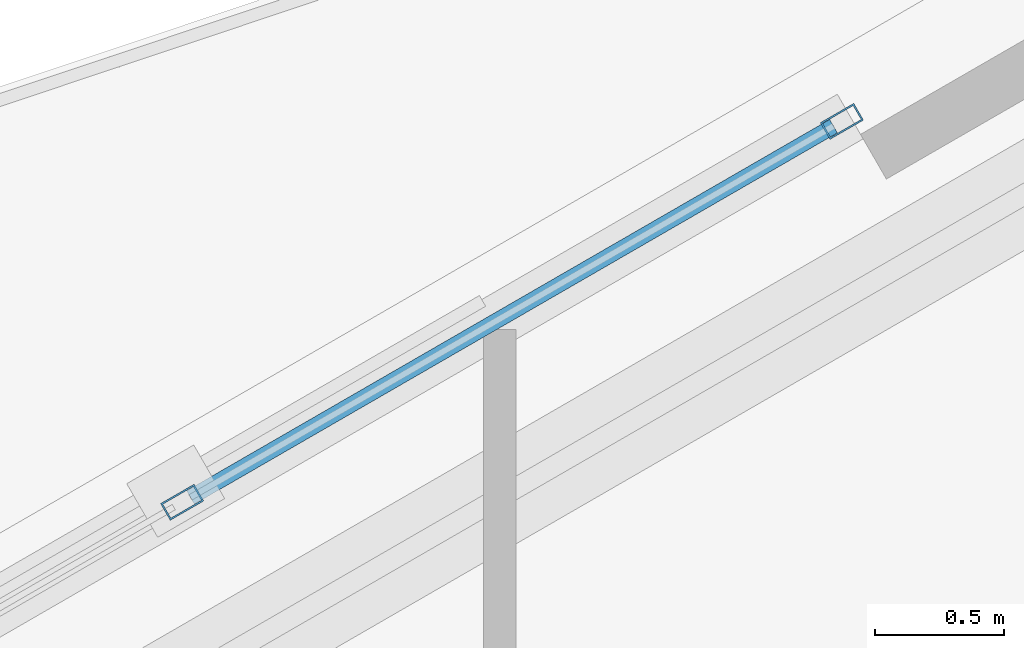
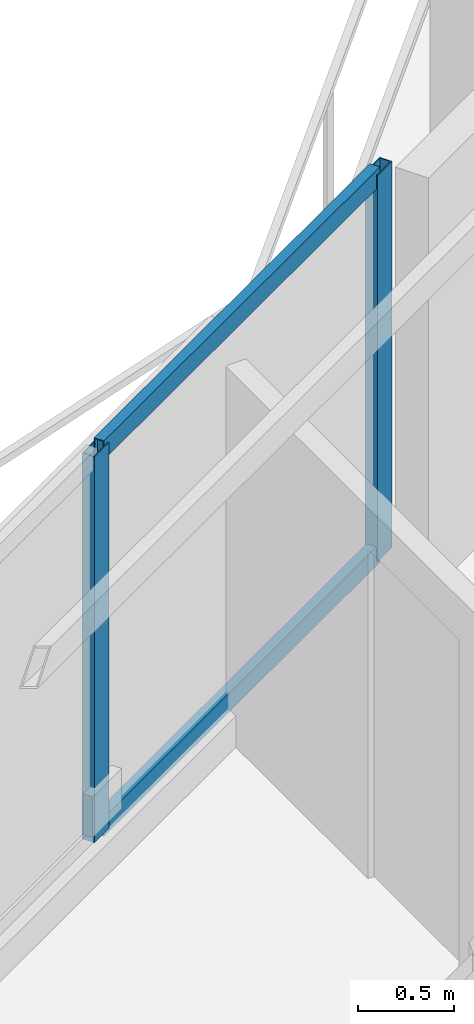
# One storey, part 9 of 18: 4 members, 1 element without a shape of its own.
"""IFC4 building model written with IfcOpenShell, lengths in metres."""

from ifc_helpers import new_model, si_unit, direction, frame, origin, origin_2d, place, context, subcontext, project, spatial, hollow_rectangle, extrude, material, layer, layer_set, material_profile, profile_set, type_object, element, aggregate, save


model = new_model("IFC4")

# Units and contexts
model_context = context("Model", 3, precision=1e-05, world=origin(), true_north=direction((0.0, 1.0)))
body_context = subcontext(model_context, "Body", "Model", "MODEL_VIEW")
ifc_project = project(units=[si_unit("LENGTHUNIT", "METRE"), si_unit("AREAUNIT", "SQUARE_METRE"), si_unit("VOLUMEUNIT", "CUBIC_METRE"), si_unit("PLANEANGLEUNIT", "RADIAN"), si_unit("MASSUNIT", "GRAM", prefix="KILO")], contexts=[model_context])

# Site, building, storey
site_placement = place(None, origin())
site = spatial("IfcSite", under=ifc_project, at=site_placement, CompositionType="ELEMENT")
building_placement = place(site_placement, origin())
building = spatial("IfcBuilding", under=site, at=building_placement, Name="Mersakhor Tower and Convention Hall", CompositionType="ELEMENT")
storey_placement = place(building_placement, frame((0.0, 0.0, 39.0)))
storey = spatial("IfcBuildingStorey", under=building, at=storey_placement, Name="L10", CompositionType="ELEMENT", Elevation=39.0)

# Curtain wall, members
ifc_material_1 = material(Name="Dark solar low-E aluminium curtain wall", Category="aluminium")
ifc_layer = layer(ifc_material_1, 0.159912109375)
ifc_layer_set = layer_set([ifc_layer], Name="Dark solar low-E aluminium curtain wall")
curtain_wall_type = type_object("IfcCurtainWallType", Name="CW-SYS-01", PredefinedType="USERDEFINED", material=ifc_layer_set)
curtain_wall_placement = place(storey_placement, origin())
curtain_wall = element("IfcCurtainWall", 1, at=curtain_wall_placement, inside=storey, type_object=curtain_wall_type, Name="L10 Dark-Glass Curtain Wall F1-B2", ObjectType="CURTAIN WALL", PredefinedType="USERDEFINED")
ifc_material_2 = material(Name="Anodised aluminium EN AW-6063 T6", Category="aluminium")
ifc_material_profile_1 = material_profile(ifc_material_2, hollow_rectangle(XDim=0.074951171875, YDim=0.14990234375, WallThickness=0.00634765625, at=origin_2d()), Name="RHS 150x75x6.3")
ifc_profile_set_1 = profile_set([ifc_material_profile_1], Name="Anodised aluminium EN AW-6063 T6")
member_type_1 = type_object("IfcMemberType", Name="CWM-150x75", PredefinedType="MULLION", material=ifc_profile_set_1)
member_1_placement = place(storey_placement, frame((24.167236328125, 41.107177734375, 0.199951171875), z_axis=(0.0, 0.0, 1.0), x_axis=(-0.50000344889, 0.866023412558, 0.0)))
member_1 = element("IfcMember", 2, at=member_1_placement, type_object=member_type_1, Name="CW-01 mullion 4", PredefinedType="MULLION", context=body_context, shape_type="SweptSolid", body=[
    extrude(hollow_rectangle(XDim=0.074951171875, YDim=0.14990234375, WallThickness=0.00634765625, at=origin_2d()), origin(), (0.0, 0.0, 1.0), 2.4599609375),
])
member_2_placement = place(storey_placement, frame((26.72705078125, 42.5849609375, 0.199951171875), z_axis=(0.0, 0.0, 1.0), x_axis=(-0.50000344889, 0.866023412558, 0.0)))
member_2 = element("IfcMember", 3, at=member_2_placement, type_object=member_type_1, Name="CW-01 mullion 5", PredefinedType="MULLION", context=body_context, shape_type="SweptSolid", body=[
    extrude(hollow_rectangle(XDim=0.074951171875, YDim=0.14990234375, WallThickness=0.00634765625, at=origin_2d()), origin(), (0.0, 0.0, 1.0), 2.4599609375),
])
ifc_material_3 = material(Name="Anodised aluminium EN AW-6063 T6", Category="aluminium")
ifc_material_profile_2 = material_profile(ifc_material_3, hollow_rectangle(XDim=0.06005859375, YDim=0.1201171875, WallThickness=0.0048828125, at=origin_2d()), Name="RHS 120x60x5")
ifc_profile_set_2 = profile_set([ifc_material_profile_2], Name="Anodised aluminium EN AW-6063 T6")
member_type_2 = type_object("IfcMemberType", Name="CWT-120x60", PredefinedType="USERDEFINED", material=ifc_profile_set_2)
member_3_placement = place(storey_placement, frame((24.19970703125, 41.1259765625, 0.22998046875), z_axis=(0.866023290103, 0.500003660985, 0.0), x_axis=(-0.500003660985, 0.866023290103, 0.0)))
member_3 = element("IfcMember", 4, at=member_3_placement, type_object=member_type_2, Name="CW-01 transom 4.1", ObjectType="TRANSOM", PredefinedType="USERDEFINED", context=body_context, shape_type="SweptSolid", body=[
    extrude(hollow_rectangle(XDim=0.06005859375, YDim=0.1201171875, WallThickness=0.0048828125, at=origin_2d()), origin(), (0.0, 0.0, 1.0), 2.880859375),
])
member_4_placement = place(storey_placement, frame((24.19970703125, 41.1259765625, 2.6298828125), z_axis=(0.866023290103, 0.500003660985, 0.0), x_axis=(-0.500003660985, 0.866023290103, 0.0)))
member_4 = element("IfcMember", 5, at=member_4_placement, type_object=member_type_2, Name="CW-01 transom 4.2", ObjectType="TRANSOM", PredefinedType="USERDEFINED", context=body_context, shape_type="SweptSolid", body=[
    extrude(hollow_rectangle(XDim=0.06005859375, YDim=0.1201171875, WallThickness=0.0048828125, at=origin_2d()), origin(), (0.0, 0.0, 1.0), 2.880859375),
])
aggregate(curtain_wall, [member_1, member_2, member_3, member_4])

save(model, "model.ifc")
